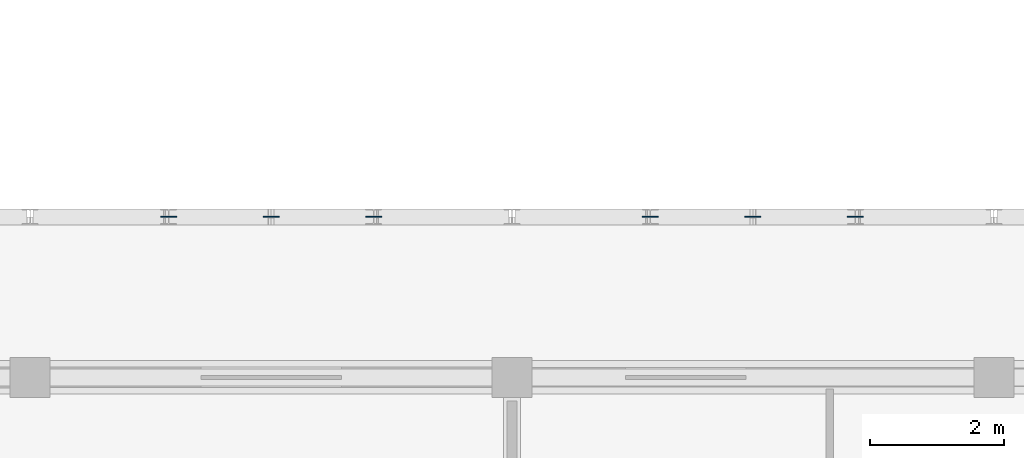
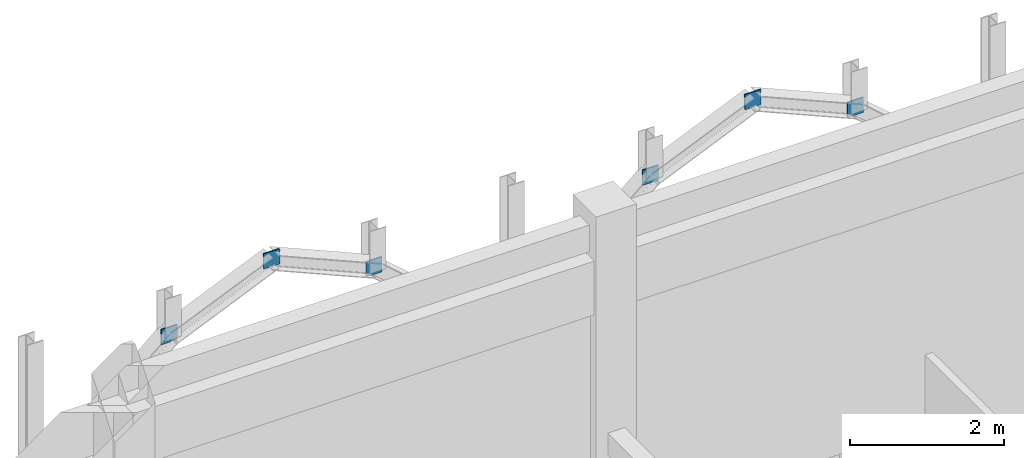
# One storey, part 82 of 138: 6 plates.
"""IFC4 building model written with IfcOpenShell, lengths in metres."""

from ifc_helpers import new_model, si_unit, direction, frame, origin, origin_2d, place, context, subcontext, project, spatial, rectangle, extrude, material, layer, layer_set, type_object, element, save


model = new_model("IFC4")

# Units and contexts
model_context = context("Model", 3, precision=1e-05, world=origin(), true_north=direction((0.0, 1.0)))
body_context = subcontext(model_context, "Body", "Model", "MODEL_VIEW")
ifc_project = project(units=[si_unit("LENGTHUNIT", "METRE"), si_unit("AREAUNIT", "SQUARE_METRE"), si_unit("VOLUMEUNIT", "CUBIC_METRE"), si_unit("PLANEANGLEUNIT", "RADIAN"), si_unit("MASSUNIT", "GRAM", prefix="KILO"), si_unit("THERMODYNAMICTEMPERATUREUNIT", "KELVIN"), si_unit("POWERUNIT", "WATT")], contexts=[model_context])

# Site, building, storey
site_placement = place(None, origin())
site = spatial("IfcSite", under=ifc_project, at=site_placement, CompositionType="ELEMENT")
building_placement = place(site_placement, origin())
building = spatial("IfcBuilding", under=site, at=building_placement, Name="Tavuni Mirador Residences", CompositionType="ELEMENT")
storey_placement = place(building_placement, origin())
storey = spatial("IfcBuildingStorey", under=building, at=storey_placement, Name="L00", CompositionType="ELEMENT", Elevation=0.0)

# Plates
ifc_material = material(Name="Structural steel S355", Category="steel")
ifc_layer = layer(ifc_material, 0.01806640625, Name="Structural steel S355", Category="steel")
ifc_layer_set = layer_set([ifc_layer], Name="Structural steel S355")
plate_type = type_object("IfcPlateType", Name="PLT-GP05", PredefinedType="USERDEFINED", material=ifc_layer_set)
for number, where, z_axis, x_axis, name in (
    (1, (56.06884765625, 103.199951171875, 6.181640625), (0.0, 0.0, 1.0), (1.0, 0.0, 0.0), "ARCH-HALL-N-02-GQ1"),
    (2, (57.60009765625, 103.199951171875, 6.84326171875), (0.0, 0.0, 1.0), (1.0, 0.0, 0.0), "ARCH-HALL-N-02-GCR"),
    (3, (59.131103515625, 103.199951171875, 6.181640625), (0.0, 0.0, 1.0), (1.0, 0.0, 0.0), "ARCH-HALL-N-02-GQ2"),
    (4, (63.268798828125, 103.199951171875, 6.181640625), (0.0, 0.0, 1.0), (1.0, 0.0, 0.0), "ARCH-HALL-N-03-GQ1"),
    (5, (64.800048828125, 103.199951171875, 6.84326171875), (0.0, 0.0, 1.0), (1.0, 0.0, 0.0), "ARCH-HALL-N-03-GCR"),
    (6, (66.331298828125, 103.199951171875, 6.181640625), (0.0, 0.0, 1.0), (1.0, 0.0, 0.0), "ARCH-HALL-N-03-GQ2"),
):
    element("IfcPlate", number, at=place(storey_placement, frame(where, z_axis=z_axis, x_axis=x_axis)), inside=storey, type_object=plate_type, Name=name, ObjectType="GUSSET PLATE", PredefinedType="USERDEFINED", context=body_context, shape_type="SweptSolid", body=[
        extrude(rectangle(XDim=0.239990234375, YDim=0.02001953125, at=origin_2d()), origin(), (0.0, 0.0, 1.0), 0.239990234375),
    ])

save(model, "model.ifc")
